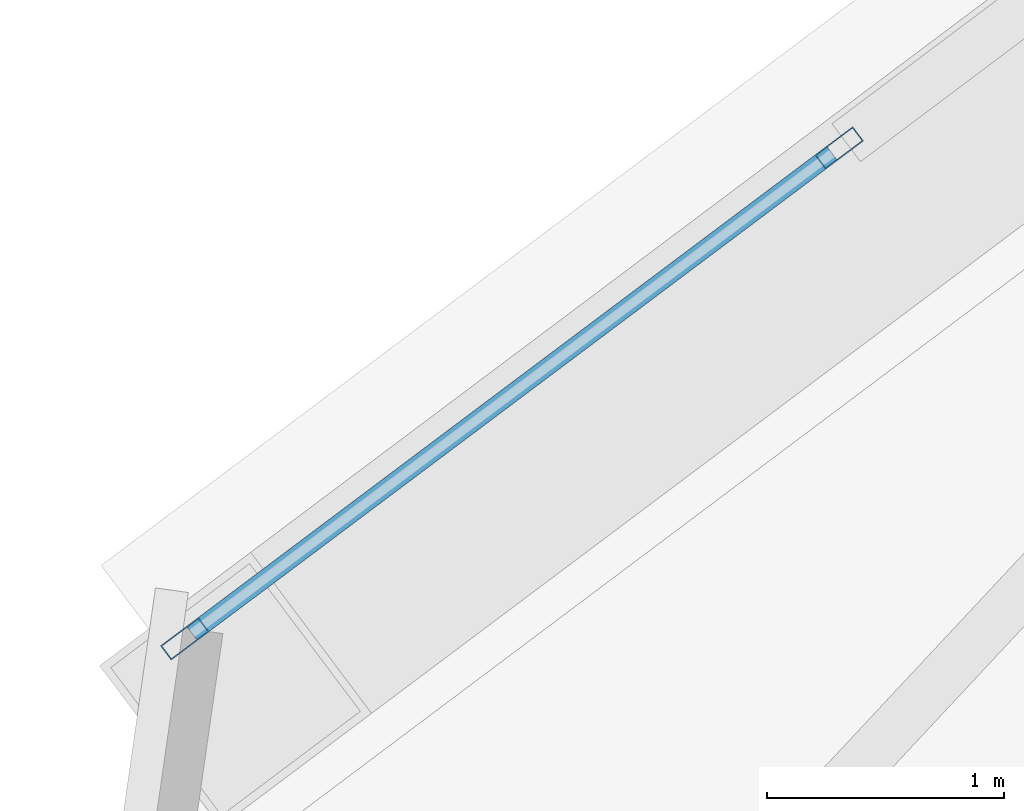
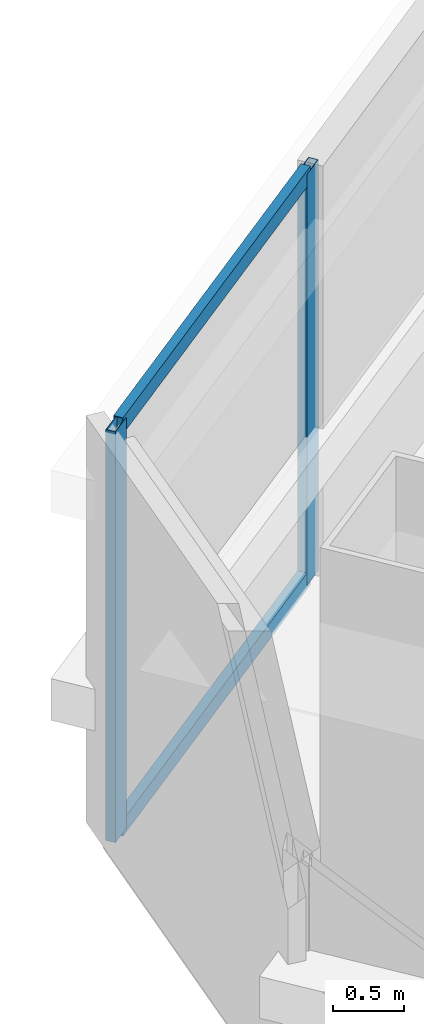
# One storey, part 31 of 54: 4 members, 1 element without a shape of its own.
"""IFC4 building model written with IfcOpenShell, lengths in metres."""

from ifc_helpers import new_model, si_unit, direction, frame, origin, origin_2d, place, context, subcontext, project, spatial, hollow_rectangle, extrude, material, material_profile, profile_set, type_object, element, aggregate, save


model = new_model("IFC4")

# Units and contexts
model_context = context("Model", 3, precision=1e-05, world=origin(), true_north=direction((0.0, 1.0)))
body_context = subcontext(model_context, "Body", "Model", "MODEL_VIEW")
ifc_project = project(units=[si_unit("LENGTHUNIT", "METRE"), si_unit("AREAUNIT", "SQUARE_METRE"), si_unit("VOLUMEUNIT", "CUBIC_METRE"), si_unit("PLANEANGLEUNIT", "RADIAN"), si_unit("MASSUNIT", "GRAM", prefix="KILO")], contexts=[model_context])

# Site, building, storey
site_placement = place(None, origin())
site = spatial("IfcSite", under=ifc_project, at=site_placement, CompositionType="ELEMENT")
building_placement = place(site_placement, origin())
building = spatial("IfcBuilding", under=site, at=building_placement, Name="Tashvorn Skyway Center", CompositionType="ELEMENT")
storey_placement = place(building_placement, frame((0.0, 0.0, 135.699951171875)))
storey = spatial("IfcBuildingStorey", under=building, at=storey_placement, Name="L36", CompositionType="ELEMENT", Elevation=135.699951171875)

# Curtain wall, members
ifc_material = material(Name="Thermally broken bronze-anodized aluminium 6063-T6", Category="aluminium")
curtain_wall_type = type_object("IfcCurtainWallType", Name="CW-CW-Z3", PredefinedType="NOTDEFINED", material=ifc_material)
curtain_wall_placement = place(storey_placement, origin())
curtain_wall = element("IfcCurtainWall", 1, at=curtain_wall_placement, inside=storey, type_object=curtain_wall_type, Name="Tower 2 L36 North Unitised Curtain Wall Glazing Group 1", PredefinedType="NOTDEFINED")
ifc_material_profile_1 = material_profile(ifc_material, hollow_rectangle(XDim=0.074951171875, YDim=0.199951171875, WallThickness=0.00439453125, at=origin_2d()), Name="ALU-MULL-75x200")
ifc_profile_set_1 = profile_set([ifc_material_profile_1], Name="Thermally broken bronze-anodized aluminium 6063-T6")
member_type_1 = type_object("IfcMemberType", Name="CWM-CW-Z3", PredefinedType="MULLION", material=ifc_profile_set_1)
member_1_placement = place(storey_placement, frame((90.35791015625, 37.118408203125, 0.0), z_axis=(0.0, 0.0, 1.0), x_axis=(-0.599995465948, 0.800003400519, 0.0)))
member_1 = element("IfcMember", 2, at=member_1_placement, type_object=member_type_1, Name="CW-Z3 mullion 1", PredefinedType="MULLION", context=body_context, shape_type="SweptSolid", body=[
    extrude(hollow_rectangle(XDim=0.074951171875, YDim=0.199951171875, WallThickness=0.00439453125, at=origin_2d()), origin(), (0.0, 0.0, 1.0), 3.550048828125),
])
member_2_placement = place(storey_placement, frame((93.12109375, 39.19091796875, 0.0), z_axis=(0.0, 0.0, 1.0), x_axis=(-0.599995465948, 0.800003400519, 0.0)))
member_2 = element("IfcMember", 3, at=member_2_placement, type_object=member_type_1, Name="CW-Z3 mullion 2", PredefinedType="MULLION", context=body_context, shape_type="SweptSolid", body=[
    extrude(hollow_rectangle(XDim=0.074951171875, YDim=0.199951171875, WallThickness=0.00439453125, at=origin_2d()), origin(), (0.0, 0.0, 1.0), 3.550048828125),
])
ifc_material_profile_2 = material_profile(ifc_material, hollow_rectangle(XDim=0.074951171875, YDim=0.139892578125, WallThickness=0.004150390625, at=origin_2d()), Name="ALU-TRAN-75x140")
ifc_profile_set_2 = profile_set([ifc_material_profile_2], Name="Thermally broken bronze-anodized aluminium 6063-T6")
member_type_2 = type_object("IfcMemberType", Name="CWT-CW-Z3", PredefinedType="USERDEFINED", material=ifc_profile_set_2)
member_3_placement = place(storey_placement, frame((90.387939453125, 37.14111328125, 0.03759765625), z_axis=(0.800034682248, 0.599953754218, 0.0), x_axis=(-0.599953754218, 0.800034682248, 0.0)))
member_3 = element("IfcMember", 4, at=member_3_placement, type_object=member_type_2, Name="CW-Z3 transom 1.1", ObjectType="TRANSOM", PredefinedType="USERDEFINED", context=body_context, shape_type="SweptSolid", body=[
    extrude(hollow_rectangle(XDim=0.074951171875, YDim=0.139892578125, WallThickness=0.004150390625, at=origin_2d()), origin(), (0.0, 0.0, 1.0), 3.378662109375),
])
member_4_placement = place(storey_placement, frame((90.387939453125, 37.14111328125, 3.512451171875), z_axis=(0.800034682248, 0.599953754218, 0.0), x_axis=(-0.599953754218, 0.800034682248, 0.0)))
member_4 = element("IfcMember", 5, at=member_4_placement, type_object=member_type_2, Name="CW-Z3 transom 1.2", ObjectType="TRANSOM", PredefinedType="USERDEFINED", context=body_context, shape_type="SweptSolid", body=[
    extrude(hollow_rectangle(XDim=0.074951171875, YDim=0.139892578125, WallThickness=0.004150390625, at=origin_2d()), origin(), (0.0, 0.0, 1.0), 3.378662109375),
])
aggregate(curtain_wall, [member_1, member_2, member_3, member_4])

save(model, "model.ifc")
